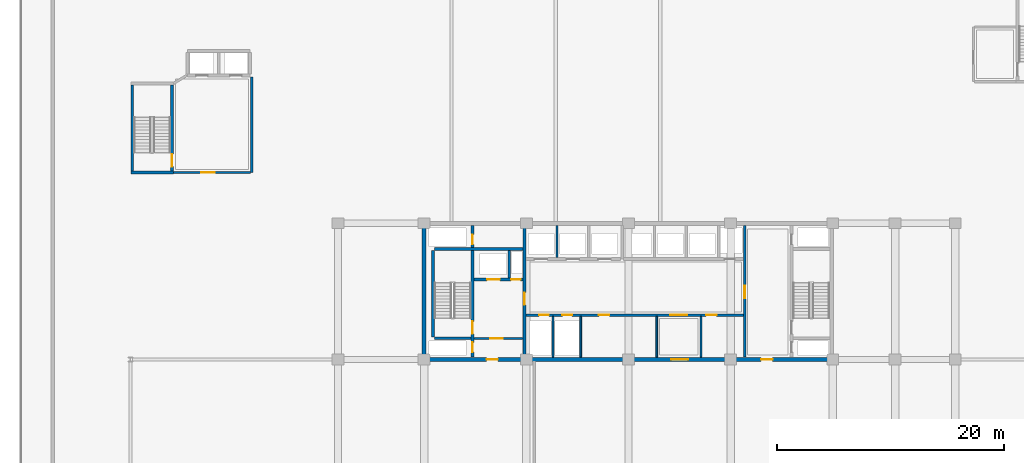
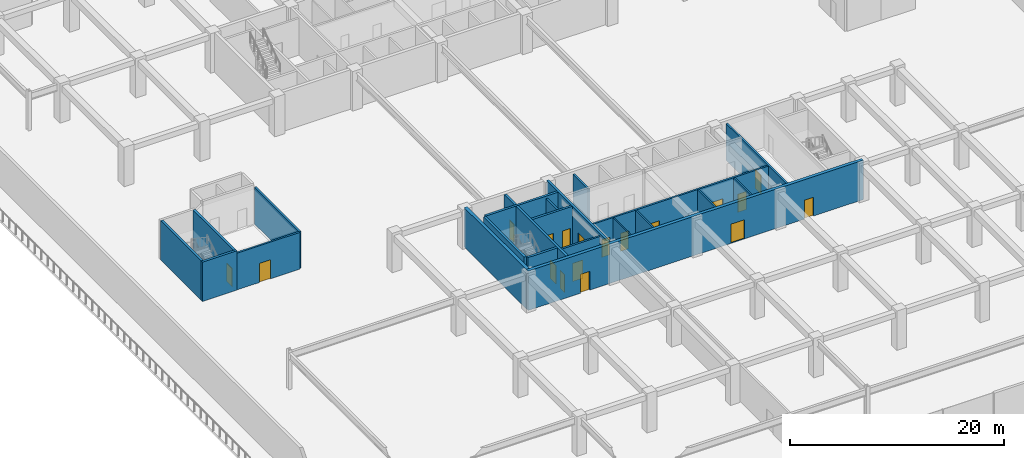
# One storey, part 20 of 43: 22 walls, 18 doors, 18 openings.
"""IFC4 building model written with IfcOpenShell, lengths in metres."""

from ifc_helpers import new_model, si_unit, direction, frame, frame_2d, origin, place, context, subcontext, project, spatial, rectangle, extrude, material, layer, layer_set, type_object, element, fill, save


model = new_model("IFC4")

# Units and contexts
model_context = context("Model", 3, precision=1e-05, world=origin(), true_north=direction((0.0, 1.0)))
body_context = subcontext(model_context, "Body", "Model", "MODEL_VIEW")
ifc_project = project(units=[si_unit("LENGTHUNIT", "METRE"), si_unit("AREAUNIT", "SQUARE_METRE"), si_unit("VOLUMEUNIT", "CUBIC_METRE"), si_unit("PLANEANGLEUNIT", "RADIAN"), si_unit("MASSUNIT", "GRAM", prefix="KILO")], contexts=[model_context])

# Site, building, storey
site_placement = place(None, origin())
site = spatial("IfcSite", under=ifc_project, at=site_placement, CompositionType="ELEMENT")
building_placement = place(site_placement, origin())
building = spatial("IfcBuilding", under=site, at=building_placement, Name="Korimba Cascade Residences", CompositionType="ELEMENT")
storey_placement = place(building_placement, frame((0.0, 0.0, 10.0)))
storey = spatial("IfcBuildingStorey", under=building, at=storey_placement, Name="L02", CompositionType="ELEMENT", Elevation=10.0)

# Wall
ifc_material_1 = material(Name="Concrete C65/80", Category="concrete")
ifc_layer_1 = layer(ifc_material_1, 0.35009765625)
ifc_layer_set_1 = layer_set([ifc_layer_1], Name="Concrete C65/80")
wall_type_1 = type_object("IfcWallType", Name="WAL-CORE-350", PredefinedType="SHEAR", material=ifc_layer_set_1)
wall_1_placement = place(storey_placement, frame((82.10009765625, 18.574951171875, 0.0), z_axis=(0.0, 0.0, 1.0), x_axis=(0.0, 1.0, 0.0)))
element("IfcWall", 1, at=wall_1_placement, inside=storey, type_object=wall_type_1, Name="L02 Core Shear Wall CW-L02-T2-W", PredefinedType="SHEAR", context=body_context, shape_type="SweptSolid", body=[
    extrude(rectangle(XDim=11.650146484375, YDim=0.35009765625, at=frame_2d((5.8251953125, 0.0))), origin(), (0.0, 0.0, 1.0), 4.5),
])

# Wall, openings, doors
wall_2_placement = place(storey_placement, frame((81.925048828125, 18.39990234375, 0.0), z_axis=(0.0, 0.0, 1.0), x_axis=(1.0, 0.0, 0.0)))
wall_2 = element("IfcWall", 2, at=wall_2_placement, inside=storey, type_object=wall_type_1, Name="L02 Core Shear Wall CW-L02-T2-S", PredefinedType="SHEAR", context=body_context, shape_type="SweptSolid", body=[
    extrude(rectangle(XDim=36.264892578125, YDim=0.35009765625, at=frame_2d((18.13232421875, 0.0))), origin(), (0.0, 0.0, 1.0), 4.5),
])
opening_1_placement = place(wall_2_placement, frame((5.675048828125, 0.0, 0.0)))
opening_1 = element("IfcOpeningElement", 3, at=opening_1_placement, cuts=wall_2, Name="Opening D-FD5", PredefinedType="OPENING", context=body_context, shape_type="SweptSolid", body=[
    extrude(rectangle(XDim=1.0, YDim=2.14990234375, at=frame_2d((0.5, 1.074951171875))), frame((0.0, 0.18505859375, 0.0), z_axis=(0.0, -1.0, 0.0), x_axis=(1.0, 0.0, 0.0)), (0.0, 0.0, 1.0), 0.3701171875),
])
opening_2_placement = place(wall_2_placement, frame((21.925048828125, 0.0, 0.0)))
opening_2 = element("IfcOpeningElement", 4, at=opening_2_placement, cuts=wall_2, Name="Opening D-FD8", PredefinedType="OPENING", context=body_context, shape_type="SweptSolid", body=[
    extrude(rectangle(XDim=1.5, YDim=2.199951171875, at=frame_2d((0.75, 1.10009765625))), frame((0.0, 0.18505859375, 0.0), z_axis=(0.0, -1.0, 0.0), x_axis=(1.0, 0.0, 0.0)), (0.0, 0.0, 1.0), 0.3701171875),
])
opening_3_placement = place(wall_2_placement, frame((29.875, 0.0, 0.0)))
opening_3 = element("IfcOpeningElement", 5, at=opening_3_placement, cuts=wall_2, Name="Opening D-FD5", PredefinedType="OPENING", context=body_context, shape_type="SweptSolid", body=[
    extrude(rectangle(XDim=1.0, YDim=2.14990234375, at=frame_2d((0.5, 1.074951171875))), frame((0.0, 0.18505859375, 0.0), z_axis=(0.0, -1.0, 0.0), x_axis=(1.0, 0.0, 0.0)), (0.0, 0.0, 1.0), 0.3701171875),
])
ifc_material_2 = material(Name="Fire-Rated Acoustic Timber Vestibule Door", Category="wood")
door_type_1 = type_object("IfcDoorType", Name="DR-FD90-1000", OperationType="NOTDEFINED", PredefinedType="DOOR", material=ifc_material_2)
door_1_placement = place(opening_1_placement, origin())
door_1 = element("IfcDoor", 6, at=door_1_placement, inside=storey, type_object=door_type_1, Name="L02 T2 West Core Vestibule Fire Door", OperationType="SINGLE_SWING_LEFT", OverallHeight=2.14990234375, OverallWidth=1.0, PredefinedType="DOOR", context=body_context, shape_type="SweptSolid", body=[
    extrude(rectangle(XDim=1.0, YDim=2.14990234375, at=frame_2d((0.5, 1.074951171875))), frame((0.0, 0.02490234375, 0.0), z_axis=(0.0, -1.0, 0.0), x_axis=(1.0, 0.0, 0.0)), (0.0, 0.0, 1.0), 0.050048828125),
])
fill(opening_1, door_1)
door_2_placement = place(opening_3_placement, origin())
door_2 = element("IfcDoor", 7, at=door_2_placement, inside=storey, type_object=door_type_1, Name="L02 T2 East Stair Vestibule Fire Door", OperationType="SINGLE_SWING_RIGHT", OverallHeight=2.14990234375, OverallWidth=1.0, PredefinedType="DOOR", context=body_context, shape_type="SweptSolid", body=[
    extrude(rectangle(XDim=1.0, YDim=2.14990234375, at=frame_2d((0.5, 1.074951171875))), frame((0.0, 0.02490234375, 0.0), z_axis=(0.0, -1.0, 0.0), x_axis=(1.0, 0.0, 0.0)), (0.0, 0.0, 1.0), 0.050048828125),
])
fill(opening_3, door_2)
ifc_material_3 = material(Name="Fire-Rated Glazed Lift Lobby Double Door", Category="glass")
door_type_2 = type_object("IfcDoorType", Name="DR-FD90-1500", OperationType="NOTDEFINED", PredefinedType="DOOR", material=ifc_material_3)
door_3_placement = place(opening_2_placement, origin())
door_3 = element("IfcDoor", 8, at=door_3_placement, inside=storey, type_object=door_type_2, Name="L02 T2 Lift Lobby Fire Door", OperationType="DOUBLE_DOOR_SINGLE_SWING", OverallHeight=2.199951171875, OverallWidth=1.5, PredefinedType="DOOR", context=body_context, shape_type="SweptSolid", body=[
    extrude(rectangle(XDim=1.5, YDim=2.199951171875, at=frame_2d((0.75, 1.10009765625))), frame((0.0, 0.02490234375, 0.0), z_axis=(0.0, -1.0, 0.0), x_axis=(1.0, 0.0, 0.0)), (0.0, 0.0, 1.0), 0.050048828125),
])
fill(opening_2, door_3)

# Walls
ifc_material_4 = material(Name="Insulated Acoustic Stud Partition", Category="gypsum")
ifc_layer_2 = layer(ifc_material_4, 0.14990234375)
ifc_layer_set_2 = layer_set([ifc_layer_2], Name="Insulated Acoustic Stud Partition")
wall_type_2 = type_object("IfcWallType", Name="WAL-PART-150", PredefinedType="PARTITIONING", material=ifc_layer_set_2)
for number, where, z_axis, x_axis, name in (
    (9, (93.449951171875, 18.60009765625, 0.0), (0.0, 0.0, 1.0), (0.0, 1.0, 0.0), "L02 Partition Wall CW-L02-T2-ERDIV"),
    (10, (95.89990234375, 18.60009765625, 0.0), (0.0, 0.0, 1.0), (0.0, 1.0, 0.0), "L02 Partition Wall CW-L02-T2-PRDIV"),
    (11, (102.60009765625, 18.60009765625, 0.0), (0.0, 0.0, 1.0), (0.0, 1.0, 0.0), "L02 Partition Wall CW-L02-T2-THW"),
    (12, (106.5, 18.60009765625, 0.0), (0.0, 0.0, 1.0), (0.0, 1.0, 0.0), "L02 Partition Wall CW-L02-T2-THE"),
):
    element("IfcWall", number, at=place(storey_placement, frame(where, z_axis=z_axis, x_axis=x_axis)), inside=storey, type_object=wall_type_2, Name=name, PredefinedType="PARTITIONING", context=body_context, shape_type="SweptSolid", body=[
        extrude(rectangle(XDim=3.599853515625, YDim=0.14990234375, at=frame_2d((1.7998046875, 0.0))), origin(), (0.0, 0.0, 1.0), 4.199951171875),
    ])
ifc_material_5 = material(Name="Concrete C40/50", Category="concrete")
ifc_layer_3 = layer(ifc_material_5, 0.199951171875)
ifc_layer_set_3 = layer_set([ifc_layer_3], Name="Concrete C40/50")
wall_type_3 = type_object("IfcWallType", Name="WAL-PART-200", PredefinedType="PARTITIONING", material=ifc_layer_set_3)
wall_3_placement = place(storey_placement, frame((89.60009765625, 25.580078125, 0.0), z_axis=(0.0, 0.0, 1.0), x_axis=(0.0, 1.0, 0.0)))
element("IfcWall", 13, at=wall_3_placement, inside=storey, type_object=wall_type_3, Name="L02 Partition Wall CW-L02-T2-FFLDIV", PredefinedType="PARTITIONING", context=body_context, shape_type="SweptSolid", body=[
    extrude(rectangle(XDim=2.419921875, YDim=0.199951171875, at=frame_2d((1.2099609375, 0.0))), origin(), (0.0, 0.0, 1.0), 4.199951171875),
])

# Wall, opening, door
wall_4_placement = place(storey_placement, frame((86.5, 20.25, 0.0), z_axis=(0.0, 0.0, 1.0), x_axis=(1.0, 0.0, 0.0)))
wall_4 = element("IfcWall", 14, at=wall_4_placement, inside=storey, type_object=wall_type_3, Name="L02 Partition Wall CW-L02-T2-FFLS", PredefinedType="PARTITIONING", context=body_context, shape_type="SweptSolid", body=[
    extrude(rectangle(XDim=4.320068359375, YDim=0.199951171875, at=frame_2d((2.16015625, 0.0))), origin(), (0.0, 0.0, 1.0), 4.199951171875),
])
opening_4_placement = place(wall_4_placement, frame((1.39990234375, 0.0, 0.0)))
opening_4 = element("IfcOpeningElement", 15, at=opening_4_placement, cuts=wall_4, Name="Opening D-FD1", PredefinedType="OPENING", context=body_context, shape_type="SweptSolid", body=[
    extrude(rectangle(XDim=1.10009765625, YDim=2.10009765625, at=frame_2d((0.550048828125, 1.050048828125))), frame((0.0, 0.10986328125, 0.0), z_axis=(0.0, -1.0, 0.0), x_axis=(1.0, 0.0, 0.0)), (0.0, 0.0, 1.0), 0.219970703125),
])
ifc_material_6 = material(Name="Fire-Rated Steel Core Door", Category="steel")
door_type_3 = type_object("IfcDoorType", Name="DR-FD120-1100", OperationType="NOTDEFINED", PredefinedType="DOOR", material=ifc_material_6)
door_4_placement = place(opening_4_placement, origin())
door_4 = element("IfcDoor", 16, at=door_4_placement, inside=storey, type_object=door_type_3, Name="L02 T2 Firefighting Lobby Door", OperationType="SINGLE_SWING_LEFT", OverallHeight=2.10009765625, OverallWidth=1.10009765625, PredefinedType="DOOR", context=body_context, shape_type="SweptSolid", body=[
    extrude(rectangle(XDim=1.10009765625, YDim=2.10009765625, at=frame_2d((0.550048828125, 1.050048828125))), frame((0.0, 0.02490234375, 0.0), z_axis=(0.0, -1.0, 0.0), x_axis=(1.0, 0.0, 0.0)), (0.0, 0.0, 1.0), 0.050048828125),
])
fill(opening_4, door_4)

# Wall
wall_5_placement = place(storey_placement, frame((93.800048828125, 27.3798828125, 0.0), z_axis=(0.0, 0.0, 1.0), x_axis=(0.0, 1.0, 0.0)))
element("IfcWall", 17, at=wall_5_placement, inside=storey, type_object=wall_type_3, Name="L02 Partition Wall CW-L02-T2-B1D1", PredefinedType="PARTITIONING", context=body_context, shape_type="SweptSolid", body=[
    extrude(rectangle(XDim=2.820068359375, YDim=0.199951171875, at=frame_2d((1.41015625, 0.0))), origin(), (0.0, 0.0, 1.0), 4.199951171875),
])

# Wall, openings, doors
wall_6_placement = place(storey_placement, frame((91.080078125, 22.300048828125, 0.0), z_axis=(0.0, 0.0, 1.0), x_axis=(1.0, 0.0, 0.0)))
wall_6 = element("IfcWall", 18, at=wall_6_placement, inside=storey, type_object=wall_type_3, Name="L02 Partition Wall CW-L02-T2-SRVROW", PredefinedType="PARTITIONING", context=body_context, shape_type="SweptSolid", body=[
    extrude(rectangle(XDim=19.139892578125, YDim=0.199951171875, at=frame_2d((9.56982421875, 0.0))), origin(), (0.0, 0.0, 1.0), 4.199951171875),
])
opening_5_placement = place(wall_6_placement, frame((1.14990234375, 0.0, 0.0)))
opening_5 = element("IfcOpeningElement", 19, at=opening_5_placement, cuts=wall_6, Name="Opening D-RS1", PredefinedType="OPENING", context=body_context, shape_type="SweptSolid", body=[
    extrude(rectangle(XDim=0.85009765625, YDim=2.050048828125, at=frame_2d((0.425048828125, 1.02490234375))), frame((0.0, 0.10986328125, 0.0), z_axis=(0.0, -1.0, 0.0), x_axis=(1.0, 0.0, 0.0)), (0.0, 0.0, 1.0), 0.219970703125),
])
opening_6_placement = place(wall_6_placement, frame((3.199951171875, 0.0, 0.0)))
opening_6 = element("IfcOpeningElement", 20, at=opening_6_placement, cuts=wall_6, Name="Opening D-RS1", PredefinedType="OPENING", context=body_context, shape_type="SweptSolid", body=[
    extrude(rectangle(XDim=0.85009765625, YDim=2.050048828125, at=frame_2d((0.425048828125, 1.02490234375))), frame((0.0, 0.10986328125, 0.0), z_axis=(0.0, -1.0, 0.0), x_axis=(1.0, 0.0, 0.0)), (0.0, 0.0, 1.0), 0.219970703125),
])
opening_7_placement = place(wall_6_placement, frame((12.719970703125, 0.0, 0.0)))
opening_7 = element("IfcOpeningElement", 21, at=opening_7_placement, cuts=wall_6, Name="Opening D-FD8", PredefinedType="OPENING", context=body_context, shape_type="SweptSolid", body=[
    extrude(rectangle(XDim=1.5, YDim=2.199951171875, at=frame_2d((0.75, 1.10009765625))), frame((0.0, 0.10986328125, 0.0), z_axis=(0.0, -1.0, 0.0), x_axis=(1.0, 0.0, 0.0)), (0.0, 0.0, 1.0), 0.219970703125),
])
opening_8_placement = place(wall_6_placement, frame((6.419921875, 0.0, 0.0)))
opening_8 = element("IfcOpeningElement", 22, at=opening_8_placement, cuts=wall_6, Name="Opening D-IN1", PredefinedType="OPENING", context=body_context, shape_type="SweptSolid", body=[
    extrude(rectangle(XDim=0.919921875, YDim=2.080078125, at=frame_2d((0.4599609375, 1.0400390625))), frame((0.0, 0.10986328125, 0.0), z_axis=(0.0, -1.0, 0.0), x_axis=(1.0, 0.0, 0.0)), (0.0, 0.0, 1.0), 0.219970703125),
])
opening_9_placement = place(wall_6_placement, frame((15.8701171875, 0.0, 0.0)))
opening_9 = element("IfcOpeningElement", 23, at=opening_9_placement, cuts=wall_6, Name="Opening D-IN1", PredefinedType="OPENING", context=body_context, shape_type="SweptSolid", body=[
    extrude(rectangle(XDim=0.919921875, YDim=2.080078125, at=frame_2d((0.4599609375, 1.0400390625))), frame((0.0, 0.10986328125, 0.0), z_axis=(0.0, -1.0, 0.0), x_axis=(1.0, 0.0, 0.0)), (0.0, 0.0, 1.0), 0.219970703125),
])
ifc_material_7 = material(Name="Fire-Rated Steel Riser Access Door", Category="steel")
door_type_4 = type_object("IfcDoorType", Name="DR-FD60-850", OperationType="NOTDEFINED", PredefinedType="DOOR", material=ifc_material_7)
door_5_placement = place(opening_5_placement, origin())
door_5 = element("IfcDoor", 24, at=door_5_placement, inside=storey, type_object=door_type_4, Name="L02 T2 Electrical Riser Door", OperationType="SINGLE_SWING_RIGHT", OverallHeight=2.050048828125, OverallWidth=0.85009765625, PredefinedType="DOOR", context=body_context, shape_type="SweptSolid", body=[
    extrude(rectangle(XDim=0.85009765625, YDim=2.050048828125, at=frame_2d((0.425048828125, 1.02490234375))), frame((0.0, 0.02490234375, 0.0), z_axis=(0.0, -1.0, 0.0), x_axis=(1.0, 0.0, 0.0)), (0.0, 0.0, 1.0), 0.050048828125),
])
fill(opening_5, door_5)
door_6_placement = place(opening_6_placement, origin())
door_6 = element("IfcDoor", 25, at=door_6_placement, inside=storey, type_object=door_type_4, Name="L02 T2 Plumbing Riser Door", OperationType="SINGLE_SWING_LEFT", OverallHeight=2.050048828125, OverallWidth=0.85009765625, PredefinedType="DOOR", context=body_context, shape_type="SweptSolid", body=[
    extrude(rectangle(XDim=0.85009765625, YDim=2.050048828125, at=frame_2d((0.425048828125, 1.02490234375))), frame((0.0, 0.02490234375, 0.0), z_axis=(0.0, -1.0, 0.0), x_axis=(1.0, 0.0, 0.0)), (0.0, 0.0, 1.0), 0.050048828125),
])
fill(opening_6, door_6)
door_7_placement = place(opening_7_placement, origin())
door_7 = element("IfcDoor", 26, at=door_7_placement, inside=storey, type_object=door_type_2, Name="L02 T2 Lift Lobby Foyer Door", OperationType="DOUBLE_DOOR_SINGLE_SWING", OverallHeight=2.199951171875, OverallWidth=1.5, PredefinedType="DOOR", context=body_context, shape_type="SweptSolid", body=[
    extrude(rectangle(XDim=1.5, YDim=2.199951171875, at=frame_2d((0.75, 1.10009765625))), frame((0.0, 0.02490234375, 0.0), z_axis=(0.0, -1.0, 0.0), x_axis=(1.0, 0.0, 0.0)), (0.0, 0.0, 1.0), 0.050048828125),
])
fill(opening_7, door_7)
ifc_material_8 = material(Name="Acoustic Timber Living Door", Category="wood")
door_type_5 = type_object("IfcDoorType", Name="DR-INT-920", OperationType="NOTDEFINED", PredefinedType="DOOR", material=ifc_material_8)
door_8_placement = place(opening_8_placement, origin())
door_8 = element("IfcDoor", 27, at=door_8_placement, inside=storey, type_object=door_type_5, Name="L02 T2 Housekeeping Door", OperationType="SINGLE_SWING_RIGHT", OverallHeight=2.080078125, OverallWidth=0.919921875, PredefinedType="DOOR", context=body_context, shape_type="SweptSolid", body=[
    extrude(rectangle(XDim=0.919921875, YDim=2.080078125, at=frame_2d((0.4599609375, 1.0400390625))), frame((0.0, 0.02490234375, 0.0), z_axis=(0.0, -1.0, 0.0), x_axis=(1.0, 0.0, 0.0)), (0.0, 0.0, 1.0), 0.050048828125),
])
fill(opening_8, door_8)
door_9_placement = place(opening_9_placement, origin())
door_9 = element("IfcDoor", 28, at=door_9_placement, inside=storey, type_object=door_type_5, Name="L02 T2 Store Door", OperationType="SINGLE_SWING_LEFT", OverallHeight=2.080078125, OverallWidth=0.919921875, PredefinedType="DOOR", context=body_context, shape_type="SweptSolid", body=[
    extrude(rectangle(XDim=0.919921875, YDim=2.080078125, at=frame_2d((0.4599609375, 1.0400390625))), frame((0.0, 0.02490234375, 0.0), z_axis=(0.0, -1.0, 0.0), x_axis=(1.0, 0.0, 0.0)), (0.0, 0.0, 1.0), 0.050048828125),
])
fill(opening_9, door_9)

# Wall, opening, door
wall_7_placement = place(storey_placement, frame((110.35009765625, 18.60009765625, 0.0), z_axis=(0.0, 0.0, 1.0), x_axis=(0.0, 1.0, 0.0)))
wall_7 = element("IfcWall", 29, at=wall_7_placement, inside=storey, type_object=wall_type_3, Name="L02 Partition Wall CW-L02-T2-LLEV", PredefinedType="PARTITIONING", context=body_context, shape_type="SweptSolid", body=[
    extrude(rectangle(XDim=11.599853515625, YDim=0.199951171875, at=frame_2d((5.7998046875, 0.0))), origin(), (0.0, 0.0, 1.0), 4.199951171875),
])
opening_10_placement = place(wall_7_placement, frame((5.199951171875, 0.0, 0.0)))
opening_10 = element("IfcOpeningElement", 30, at=opening_10_placement, cuts=wall_7, Name="Opening D-FD6", PredefinedType="OPENING", context=body_context, shape_type="SweptSolid", body=[
    extrude(rectangle(XDim=1.10009765625, YDim=2.14990234375, at=frame_2d((0.550048828125, 1.074951171875))), frame((0.0, 0.10986328125, 0.0), z_axis=(0.0, -1.0, 0.0), x_axis=(1.0, 0.0, 0.0)), (0.0, 0.0, 1.0), 0.219970703125),
])
ifc_material_9 = material(Name="Fire-Rated Timber Stair Lobby Door", Category="wood")
door_type_6 = type_object("IfcDoorType", Name="DR-FD90-1100", OperationType="NOTDEFINED", PredefinedType="DOOR", material=ifc_material_9)
door_10_placement = place(opening_10_placement, origin())
door_10 = element("IfcDoor", 31, at=door_10_placement, inside=storey, type_object=door_type_6, Name="L02 T2 Lift Lobby to East Stair Lobby Door", OperationType="SINGLE_SWING_RIGHT", OverallHeight=2.14990234375, OverallWidth=1.10009765625, PredefinedType="DOOR", context=body_context, shape_type="SweptSolid", body=[
    extrude(rectangle(XDim=1.10009765625, YDim=2.14990234375, at=frame_2d((0.550048828125, 1.074951171875))), frame((0.0, 0.02490234375, 0.0), z_axis=(0.0, -1.0, 0.0), x_axis=(1.0, 0.0, 0.0)), (0.0, 0.0, 1.0), 0.050048828125),
])
fill(opening_10, door_10)

wall_8_placement = place(storey_placement, frame((59.840087890625, 34.875, 0.0), z_axis=(0.0, 0.0, 1.0), x_axis=(1.0, 0.0, 0.0)))
wall_8 = element("IfcWall", 32, at=wall_8_placement, inside=storey, type_object=wall_type_3, Name="L02 Partition Wall CW-L02-PLOBS", PredefinedType="PARTITIONING", context=body_context, shape_type="SweptSolid", body=[
    extrude(rectangle(XDim=6.9599609375, YDim=0.199951171875, at=frame_2d((3.47998046875, 0.0))), origin(), (0.0, 0.0, 1.0), 4.199951171875),
])
opening_11_placement = place(wall_8_placement, frame((2.60009765625, 0.0, 0.0)))
opening_11 = element("IfcOpeningElement", 33, at=opening_11_placement, cuts=wall_8, Name="Opening D-FD7", PredefinedType="OPENING", context=body_context, shape_type="SweptSolid", body=[
    extrude(rectangle(XDim=1.199951171875, YDim=2.179931640625, at=frame_2d((0.60009765625, 1.08984375))), frame((0.0, 0.10986328125, 0.0), z_axis=(0.0, -1.0, 0.0), x_axis=(1.0, 0.0, 0.0)), (0.0, 0.0, 1.0), 0.219970703125),
])
ifc_material_10 = material(Name="Fire-Rated Shuttle Lobby Door", Category="wood")
door_type_7 = type_object("IfcDoorType", Name="DR-FD90-1200", OperationType="NOTDEFINED", PredefinedType="DOOR", material=ifc_material_10)
door_11_placement = place(opening_11_placement, origin())
door_11 = element("IfcDoor", 34, at=door_11_placement, inside=storey, type_object=door_type_7, Name="L02 Shuttle Lobby Door", OperationType="SINGLE_SWING_LEFT", OverallHeight=2.179931640625, OverallWidth=1.199951171875, PredefinedType="DOOR", context=body_context, shape_type="SweptSolid", body=[
    extrude(rectangle(XDim=1.199951171875, YDim=2.179931640625, at=frame_2d((0.60009765625, 1.08984375))), frame((0.0, 0.02490234375, 0.0), z_axis=(0.0, -1.0, 0.0), x_axis=(1.0, 0.0, 0.0)), (0.0, 0.0, 1.0), 0.050048828125),
])
fill(opening_11, door_11)

# Walls
wall_9_placement = place(storey_placement, frame((66.89990234375, 34.875, 0.0), z_axis=(0.0, 0.0, 1.0), x_axis=(0.0, 1.0, 0.0)))
element("IfcWall", 35, at=wall_9_placement, inside=storey, type_object=wall_type_3, Name="L02 Partition Wall CW-L02-PLOBE", PredefinedType="PARTITIONING", context=body_context, shape_type="SweptSolid", body=[
    extrude(rectangle(XDim=8.425048828125, YDim=0.199951171875, at=frame_2d((4.21240234375, 0.0))), origin(), (0.0, 0.0, 1.0), 4.199951171875),
])
ifc_material_11 = material(Name="Concrete C50/60", Category="concrete")
ifc_layer_4 = layer(ifc_material_11, 0.25)
ifc_layer_set_4 = layer_set([ifc_layer_4], Name="Concrete C50/60")
wall_type_4 = type_object("IfcWallType", Name="WAL-SHAFT-250", PredefinedType="SHEAR", material=ifc_layer_set_4)
wall_10_placement = place(storey_placement, frame((82.875, 20.39990234375, 0.0), z_axis=(0.0, 0.0, 1.0), x_axis=(0.0, 1.0, 0.0)))
element("IfcWall", 36, at=wall_10_placement, inside=storey, type_object=wall_type_4, Name="L02 Core Shear Wall CW-L02-T2-STE1W", PredefinedType="SHEAR", context=body_context, shape_type="SweptSolid", body=[
    extrude(rectangle(XDim=7.60009765625, YDim=0.25, at=frame_2d((3.800048828125, 0.0))), origin(), (0.0, 0.0, 1.0), 4.5),
])

# Wall, openings, doors
wall_11_placement = place(storey_placement, frame((86.364990234375, 18.60009765625, 0.0), z_axis=(0.0, 0.0, 1.0), x_axis=(0.0, 1.0, 0.0)))
wall_11 = element("IfcWall", 37, at=wall_11_placement, inside=storey, type_object=wall_type_4, Name="L02 Core Shear Wall CW-L02-T2-STE1E", PredefinedType="SHEAR", context=body_context, shape_type="SweptSolid", body=[
    extrude(rectangle(XDim=11.599853515625, YDim=0.25, at=frame_2d((5.7998046875, 0.0))), origin(), (0.0, 0.0, 1.0), 4.5),
])
opening_12_placement = place(wall_11_placement, frame((0.449951171875, 0.0, 0.0)))
opening_12 = element("IfcOpeningElement", 38, at=opening_12_placement, cuts=wall_11, Name="Opening D-RS1", PredefinedType="OPENING", context=body_context, shape_type="SweptSolid", body=[
    extrude(rectangle(XDim=0.85009765625, YDim=2.050048828125, at=frame_2d((0.425048828125, 1.02490234375))), frame((0.0, 0.135009765625, 0.0), z_axis=(0.0, -1.0, 0.0), x_axis=(1.0, 0.0, 0.0)), (0.0, 0.0, 1.0), 0.27001953125),
])
opening_13_placement = place(wall_11_placement, frame((2.050048828125, 0.0, 0.0)))
opening_13 = element("IfcOpeningElement", 39, at=opening_13_placement, cuts=wall_11, Name="Opening D-FD1", PredefinedType="OPENING", context=body_context, shape_type="SweptSolid", body=[
    extrude(rectangle(XDim=1.10009765625, YDim=2.10009765625, at=frame_2d((0.550048828125, 1.050048828125))), frame((0.0, 0.135009765625, 0.0), z_axis=(0.0, -1.0, 0.0), x_axis=(1.0, 0.0, 0.0)), (0.0, 0.0, 1.0), 0.27001953125),
])
opening_14_placement = place(wall_11_placement, frame((9.949951171875, 0.0, 0.0)))
opening_14 = element("IfcOpeningElement", 40, at=opening_14_placement, cuts=wall_11, Name="Opening D-RS1", PredefinedType="OPENING", context=body_context, shape_type="SweptSolid", body=[
    extrude(rectangle(XDim=0.85009765625, YDim=2.050048828125, at=frame_2d((0.425048828125, 1.02490234375))), frame((0.0, 0.135009765625, 0.0), z_axis=(0.0, -1.0, 0.0), x_axis=(1.0, 0.0, 0.0)), (0.0, 0.0, 1.0), 0.27001953125),
])
door_12_placement = place(opening_13_placement, origin())
door_12 = element("IfcDoor", 41, at=door_12_placement, inside=storey, type_object=door_type_3, Name="L02 Fire Stair ST-E1 Door", OperationType="SINGLE_SWING_RIGHT", OverallHeight=2.10009765625, OverallWidth=1.10009765625, PredefinedType="DOOR", context=body_context, shape_type="SweptSolid", body=[
    extrude(rectangle(XDim=1.10009765625, YDim=2.10009765625, at=frame_2d((0.550048828125, 1.050048828125))), frame((0.0, 0.02490234375, 0.0), z_axis=(0.0, -1.0, 0.0), x_axis=(1.0, 0.0, 0.0)), (0.0, 0.0, 1.0), 0.050048828125),
])
fill(opening_13, door_12)
door_13_placement = place(opening_12_placement, origin())
door_13 = element("IfcDoor", 42, at=door_13_placement, inside=storey, type_object=door_type_4, Name="L02 T2 Hydrant Riser Door", OperationType="SINGLE_SWING_LEFT", OverallHeight=2.050048828125, OverallWidth=0.85009765625, PredefinedType="DOOR", context=body_context, shape_type="SweptSolid", body=[
    extrude(rectangle(XDim=0.85009765625, YDim=2.050048828125, at=frame_2d((0.425048828125, 1.02490234375))), frame((0.0, 0.02490234375, 0.0), z_axis=(0.0, -1.0, 0.0), x_axis=(1.0, 0.0, 0.0)), (0.0, 0.0, 1.0), 0.050048828125),
])
fill(opening_12, door_13)
door_14_placement = place(opening_14_placement, origin())
door_14 = element("IfcDoor", 43, at=door_14_placement, inside=storey, type_object=door_type_4, Name="L02 T2 Smoke Shaft Door", OperationType="SINGLE_SWING_LEFT", OverallHeight=2.050048828125, OverallWidth=0.85009765625, PredefinedType="DOOR", context=body_context, shape_type="SweptSolid", body=[
    extrude(rectangle(XDim=0.85009765625, YDim=2.050048828125, at=frame_2d((0.425048828125, 1.02490234375))), frame((0.0, 0.02490234375, 0.0), z_axis=(0.0, -1.0, 0.0), x_axis=(1.0, 0.0, 0.0)), (0.0, 0.0, 1.0), 0.050048828125),
])
fill(opening_14, door_14)

# Walls
wall_12_placement = place(storey_placement, frame((83.0, 20.27490234375, 0.0), z_axis=(0.0, 0.0, 1.0), x_axis=(1.0, 0.0, 0.0)))
element("IfcWall", 44, at=wall_12_placement, inside=storey, type_object=wall_type_4, Name="L02 Core Shear Wall CW-L02-T2-STE1S", PredefinedType="SHEAR", context=body_context, shape_type="SweptSolid", body=[
    extrude(rectangle(XDim=3.239990234375, YDim=0.25, at=frame_2d((1.6201171875, 0.0))), origin(), (0.0, 0.0, 1.0), 4.5),
])
wall_13_placement = place(storey_placement, frame((83.0, 28.125, 0.0), z_axis=(0.0, 0.0, 1.0), x_axis=(1.0, 0.0, 0.0)))
element("IfcWall", 45, at=wall_13_placement, inside=storey, type_object=wall_type_4, Name="L02 Core Shear Wall CW-L02-T2-STE1N", PredefinedType="SHEAR", context=body_context, shape_type="SweptSolid", body=[
    extrude(rectangle(XDim=7.820068359375, YDim=0.25, at=frame_2d((3.91015625, 0.0))), origin(), (0.0, 0.0, 1.0), 4.5),
])

# Wall, openings, doors
wall_14_placement = place(storey_placement, frame((86.5, 25.449951171875, 0.0), z_axis=(0.0, 0.0, 1.0), x_axis=(1.0, 0.0, 0.0)))
wall_14 = element("IfcWall", 46, at=wall_14_placement, inside=storey, type_object=wall_type_4, Name="L02 Core Shear Wall CW-L02-T2-FFLN", PredefinedType="SHEAR", context=body_context, shape_type="SweptSolid", body=[
    extrude(rectangle(XDim=4.320068359375, YDim=0.25, at=frame_2d((2.16015625, 0.0))), origin(), (0.0, 0.0, 1.0), 4.5),
])
opening_15_placement = place(wall_14_placement, frame((1.139892578125, 0.0, 0.0)))
opening_15 = element("IfcOpeningElement", 47, at=opening_15_placement, cuts=wall_14, Name="Opening LD-01", PredefinedType="OPENING", context=body_context, shape_type="SweptSolid", body=[
    extrude(rectangle(XDim=1.1201171875, YDim=2.1201171875, at=frame_2d((0.56005859375, 1.06005859375))), frame((0.0, 0.135009765625, 0.0), z_axis=(0.0, -1.0, 0.0), x_axis=(1.0, 0.0, 0.0)), (0.0, 0.0, 1.0), 0.27001953125),
])
opening_16_placement = place(wall_14_placement, frame((3.25, 0.0, 0.0)))
opening_16 = element("IfcOpeningElement", 48, at=opening_16_placement, cuts=wall_14, Name="Opening D-RS1", PredefinedType="OPENING", context=body_context, shape_type="SweptSolid", body=[
    extrude(rectangle(XDim=0.85009765625, YDim=2.050048828125, at=frame_2d((0.425048828125, 1.02490234375))), frame((0.0, 0.135009765625, 0.0), z_axis=(0.0, -1.0, 0.0), x_axis=(1.0, 0.0, 0.0)), (0.0, 0.0, 1.0), 0.27001953125),
])
door_15_placement = place(opening_16_placement, origin())
door_15 = element("IfcDoor", 49, at=door_15_placement, inside=storey, type_object=door_type_4, Name="L02 T2 Pressurisation Riser Door", OperationType="SINGLE_SWING_RIGHT", OverallHeight=2.050048828125, OverallWidth=0.85009765625, PredefinedType="DOOR", context=body_context, shape_type="SweptSolid", body=[
    extrude(rectangle(XDim=0.85009765625, YDim=2.050048828125, at=frame_2d((0.425048828125, 1.02490234375))), frame((0.0, 0.02490234375, 0.0), z_axis=(0.0, -1.0, 0.0), x_axis=(1.0, 0.0, 0.0)), (0.0, 0.0, 1.0), 0.050048828125),
])
fill(opening_16, door_15)
ifc_material_12 = material(Name="Stainless Steel Lift Landing Sliding Door", Category="steel")
door_type_8 = type_object("IfcDoorType", Name="DR-LIFT-1100", OperationType="NOTDEFINED", PredefinedType="DOOR", material=ifc_material_12)
door_16_placement = place(opening_15_placement, origin())
door_16 = element("IfcDoor", 50, at=door_16_placement, inside=storey, type_object=door_type_8, Name="L02 Firefighting Lift Landing Door FFL-E1", OperationType="SLIDING_TO_RIGHT", OverallHeight=2.1201171875, OverallWidth=1.1201171875, PredefinedType="DOOR", context=body_context, shape_type="SweptSolid", body=[
    extrude(rectangle(XDim=1.1201171875, YDim=2.1201171875, at=frame_2d((0.56005859375, 1.06005859375))), frame((0.0, 0.02490234375, 0.0), z_axis=(0.0, -1.0, 0.0), x_axis=(1.0, 0.0, 0.0)), (0.0, 0.0, 1.0), 0.050048828125),
])
fill(opening_15, door_16)

# Wall, opening, door
wall_15_placement = place(storey_placement, frame((90.949951171875, 18.60009765625, 0.0), z_axis=(0.0, 0.0, 1.0), x_axis=(0.0, 1.0, 0.0)))
wall_15 = element("IfcWall", 51, at=wall_15_placement, inside=storey, type_object=wall_type_4, Name="L02 Core Shear Wall CW-L02-T2-FFLE", PredefinedType="SHEAR", context=body_context, shape_type="SweptSolid", body=[
    extrude(rectangle(XDim=11.599853515625, YDim=0.25, at=frame_2d((5.7998046875, 0.0))), origin(), (0.0, 0.0, 1.0), 4.5),
])
opening_17_placement = place(wall_15_placement, frame((4.60009765625, 0.0, 0.0)))
opening_17 = element("IfcOpeningElement", 52, at=opening_17_placement, cuts=wall_15, Name="Opening D-FD1", PredefinedType="OPENING", context=body_context, shape_type="SweptSolid", body=[
    extrude(rectangle(XDim=1.10009765625, YDim=2.10009765625, at=frame_2d((0.550048828125, 1.050048828125))), frame((0.0, 0.135009765625, 0.0), z_axis=(0.0, -1.0, 0.0), x_axis=(1.0, 0.0, 0.0)), (0.0, 0.0, 1.0), 0.27001953125),
])
door_17_placement = place(opening_17_placement, origin())
door_17 = element("IfcDoor", 53, at=door_17_placement, inside=storey, type_object=door_type_3, Name="L02 T2 Firefighting Lobby to Lift Lobby Door", OperationType="SINGLE_SWING_RIGHT", OverallHeight=2.10009765625, OverallWidth=1.10009765625, PredefinedType="DOOR", context=body_context, shape_type="SweptSolid", body=[
    extrude(rectangle(XDim=1.10009765625, YDim=2.10009765625, at=frame_2d((0.550048828125, 1.050048828125))), frame((0.0, 0.02490234375, 0.0), z_axis=(0.0, -1.0, 0.0), x_axis=(1.0, 0.0, 0.0)), (0.0, 0.0, 1.0), 0.050048828125),
])
fill(opening_17, door_17)

# Walls
wall_16_placement = place(storey_placement, frame((56.375, 35.0, 0.0), z_axis=(0.0, 0.0, 1.0), x_axis=(0.0, 1.0, 0.0)))
element("IfcWall", 54, at=wall_16_placement, inside=storey, type_object=wall_type_4, Name="L02 Core Shear Wall CW-L02-STP1W", PredefinedType="SHEAR", context=body_context, shape_type="SweptSolid", body=[
    extrude(rectangle(XDim=7.60009765625, YDim=0.25, at=frame_2d((3.800048828125, 0.0))), origin(), (0.0, 0.0, 1.0), 4.5),
])
wall_17_placement = place(storey_placement, frame((56.25, 34.875, 0.0), z_axis=(0.0, 0.0, 1.0), x_axis=(1.0, 0.0, 0.0)))
element("IfcWall", 55, at=wall_17_placement, inside=storey, type_object=wall_type_4, Name="L02 Core Shear Wall CW-L02-STP1S", PredefinedType="SHEAR", context=body_context, shape_type="SweptSolid", body=[
    extrude(rectangle(XDim=3.739990234375, YDim=0.25, at=frame_2d((1.8701171875, 0.0))), origin(), (0.0, 0.0, 1.0), 4.5),
])

# Wall, opening, door
wall_18_placement = place(storey_placement, frame((59.864990234375, 35.0, 0.0), z_axis=(0.0, 0.0, 1.0), x_axis=(0.0, 1.0, 0.0)))
wall_18 = element("IfcWall", 56, at=wall_18_placement, inside=storey, type_object=wall_type_4, Name="L02 Core Shear Wall CW-L02-STP1E", PredefinedType="SHEAR", context=body_context, shape_type="SweptSolid", body=[
    extrude(rectangle(XDim=7.60009765625, YDim=0.25, at=frame_2d((3.800048828125, 0.0))), origin(), (0.0, 0.0, 1.0), 4.5),
])
opening_18_placement = place(wall_18_placement, frame((0.39990234375, 0.0, 0.0)))
opening_18 = element("IfcOpeningElement", 57, at=opening_18_placement, cuts=wall_18, Name="Opening D-FD1", PredefinedType="OPENING", context=body_context, shape_type="SweptSolid", body=[
    extrude(rectangle(XDim=1.10009765625, YDim=2.10009765625, at=frame_2d((0.550048828125, 1.050048828125))), frame((0.0, 0.135009765625, 0.0), z_axis=(0.0, -1.0, 0.0), x_axis=(1.0, 0.0, 0.0)), (0.0, 0.0, 1.0), 0.27001953125),
])
door_18_placement = place(opening_18_placement, origin())
door_18 = element("IfcDoor", 58, at=door_18_placement, inside=storey, type_object=door_type_3, Name="L02 Podium Stair ST-P1 Door", OperationType="SINGLE_SWING_RIGHT", OverallHeight=2.10009765625, OverallWidth=1.10009765625, PredefinedType="DOOR", context=body_context, shape_type="SweptSolid", body=[
    extrude(rectangle(XDim=1.10009765625, YDim=2.10009765625, at=frame_2d((0.550048828125, 1.050048828125))), frame((0.0, 0.02490234375, 0.0), z_axis=(0.0, -1.0, 0.0), x_axis=(1.0, 0.0, 0.0)), (0.0, 0.0, 1.0), 0.050048828125),
])
fill(opening_18, door_18)

save(model, "model.ifc")
